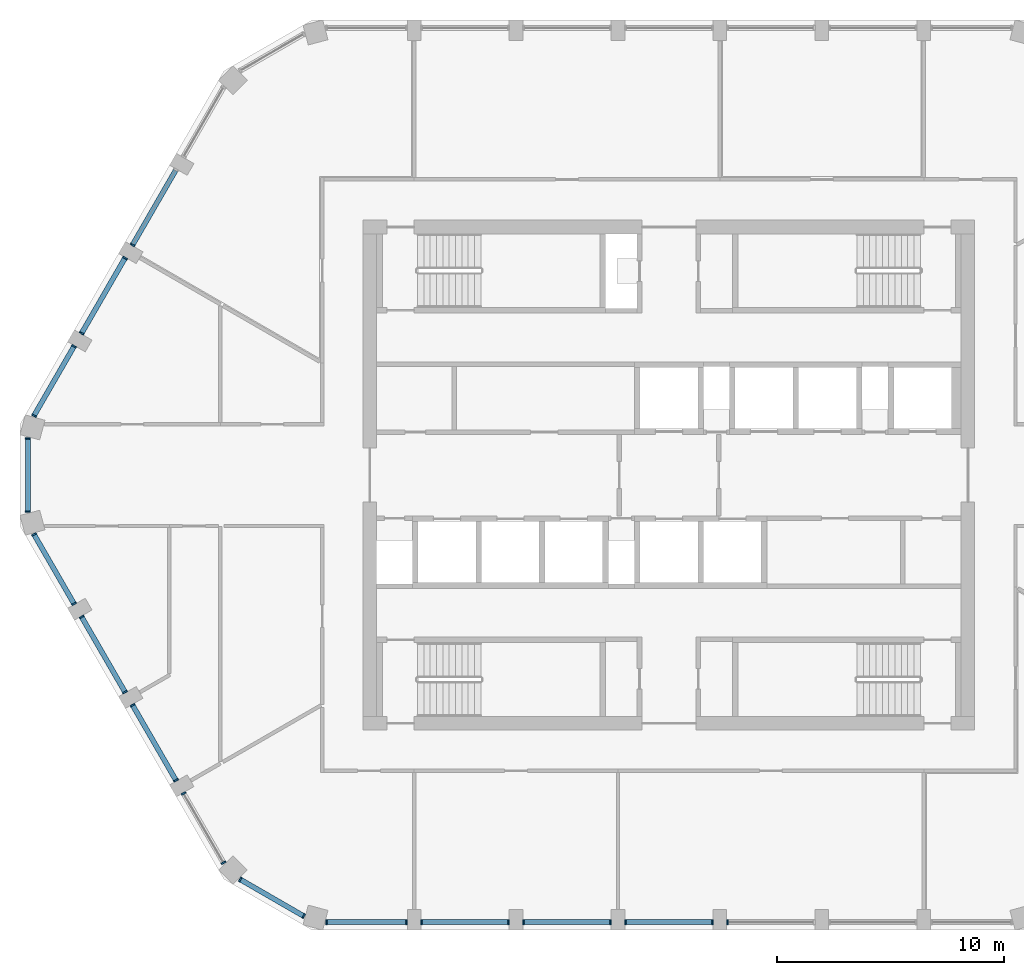
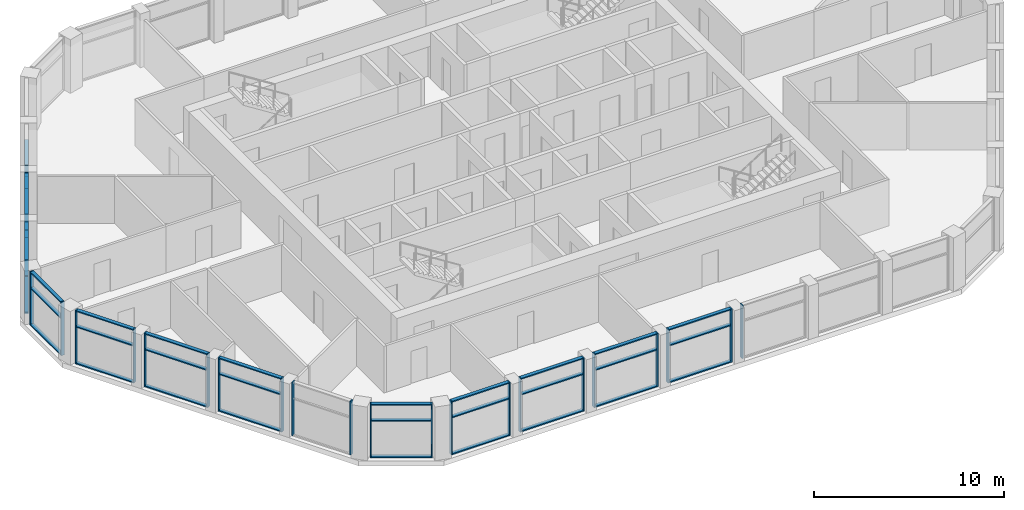
# One storey, part 2 of 15: 61 members, 14 elements without a shape of their own.
"""IFC4 building model written with IfcOpenShell, lengths in metres."""

import ifcopenshell
import ifcopenshell.guid

model = None  # the IFC model being written
_history = None  # IfcOwnerHistory: only IFC2X3 demands one
_inside = {}  # id of a spatial element -> (the spatial element, [elements in it])
_under = {}  # id of a project, library or spatial element -> (it, [spatial elements below it])
_declared = {}  # id of a project -> (the project, [libraries it declares])
_typed = {}  # id of a type object -> (the type object, [elements of that type])
_made_of = {}  # id of a material, layer set ... -> (it, [elements and type objects made of it])


def new_model(schema):
    """Start an empty IFC model of exactly this schema.

    Asked for "IFC4X3", IfcOpenShell would pick the latest addendum, in which some entities
    have other attributes; the version numbers below select the first issue.
    IFC2X3 requires an IfcOwnerHistory on every rooted entity: one is made here for all.
    """
    global model, _history
    if schema == "IFC4X3":
        model = ifcopenshell.file(schema_version=(4, 3, 0, 0))
    else:
        model = ifcopenshell.file(schema=schema)
    _inside.clear()
    _under.clear()
    _declared.clear()
    _typed.clear()
    _made_of.clear()
    _history = None
    if model.schema == "IFC2X3":
        org = make("IfcOrganization", Name="unknown")
        user = make(
            "IfcPersonAndOrganization",
            ThePerson=make("IfcPerson", FamilyName="unknown"),
            TheOrganization=org,
        )
        app = make(
            "IfcApplication",
            ApplicationDeveloper=org,
            Version="unknown",
            ApplicationFullName="unknown",
            ApplicationIdentifier="unknown",
        )
        _history = make(
            "IfcOwnerHistory",
            OwningUser=user,
            OwningApplication=app,
            ChangeAction="ADDED",
            CreationDate=0,
        )
    return model


def make(cls, **values):
    """One entity of the class cls with the attributes given. An attribute that is None is left unset."""
    return model.create_entity(
        cls, **{name: value for name, value in values.items() if value is not None}
    )


def rooted(cls, **values):
    """An entity with a GlobalId (a new one), such as an element, a storey or a relation."""
    return make(cls, GlobalId=ifcopenshell.guid.new(), OwnerHistory=_history, **values)


def si_unit(unit_type, name, prefix=None):
    """IfcSIUnit, for example si_unit("LENGTHUNIT", "METRE", prefix="MILLI")."""
    return make("IfcSIUnit", UnitType=unit_type, Prefix=prefix, Name=name)


def assignment(units):
    """IfcUnitAssignment: the units of a project."""
    return None if units is None else make("IfcUnitAssignment", Units=units)


def point(xyz):
    """IfcCartesianPoint."""
    return None if xyz is None else make("IfcCartesianPoint", Coordinates=xyz)


def direction(xyz):
    """IfcDirection."""
    return None if xyz is None else make("IfcDirection", DirectionRatios=xyz)


def frame(location, z_axis=None, x_axis=None):
    """IfcAxis2Placement3D, a coordinate frame: its origin and axes. An axis left out is left unset."""
    return make(
        "IfcAxis2Placement3D",
        Location=point(location),
        Axis=direction(z_axis),
        RefDirection=direction(x_axis),
    )


def frame_2d(location, x_axis=None):
    """IfcAxis2Placement2D, a coordinate frame in the plane: its origin and x axis."""
    return make(
        "IfcAxis2Placement2D", Location=point(location), RefDirection=direction(x_axis)
    )


def origin():
    """The frame at (0, 0, 0) with its axes left unset."""
    return frame((0.0, 0.0, 0.0))


def origin_2d():
    """The frame at (0, 0) in the plane with its x axis left unset."""
    return frame_2d((0.0, 0.0))


def place(relative_to, where):
    """IfcLocalPlacement: puts the frame where relative to a parent placement (None: the world)."""
    return make(
        "IfcLocalPlacement", PlacementRelTo=relative_to, RelativePlacement=where
    )


def context(
    kind, dimensions, precision=None, world=None, true_north=None, identifier=None
):
    """IfcGeometricRepresentationContext, for example the 3D "Model" context."""
    return make(
        "IfcGeometricRepresentationContext",
        ContextIdentifier=identifier,
        ContextType=kind,
        CoordinateSpaceDimension=dimensions,
        Precision=precision,
        WorldCoordinateSystem=world,
        TrueNorth=true_north,
    )


def subcontext(parent, identifier, kind, view, scale=None):
    """IfcGeometricRepresentationSubContext, for example "Body" below "Model"."""
    return make(
        "IfcGeometricRepresentationSubContext",
        ContextIdentifier=identifier,
        ContextType=kind,
        ParentContext=parent,
        TargetScale=scale,
        TargetView=view,
    )


def project(units=None, contexts=None):
    """IfcProject with its units and contexts."""
    return rooted(
        "IfcProject",
        Name="project",
        RepresentationContexts=contexts,
        UnitsInContext=assignment(units),
    )


def spatial(cls, under=None, at=None, **own):
    """A site, building, storey or space (cls), placed at a placement, below another one or the project."""
    s = rooted(cls, ObjectPlacement=at, **own)
    if under is not None:
        _under.setdefault(under.id(), (under, []))[1].append(s)
    return s


def profile(cls, at=None, kind="AREA", **sizes):
    """A parametric profile (cls). Its sizes go by their IFC names, for example OverallWidth=200.0."""
    return make(cls, ProfileType=kind, Position=at, **sizes)


def rectangle(**sizes):
    """IfcRectangleProfileDef."""
    return profile("IfcRectangleProfileDef", **sizes)


def extrude(swept, where, along, depth):
    """IfcExtrudedAreaSolid: the profile swept, set in the frame where, extruded along a direction by depth."""
    return make(
        "IfcExtrudedAreaSolid",
        SweptArea=swept,
        Position=where,
        ExtrudedDirection=direction(along),
        Depth=depth,
    )


def shape(context_of_items, identifier, shape_type, items):
    """IfcShapeRepresentation: the items that make up one representation, for example the "Body"."""
    return make(
        "IfcShapeRepresentation",
        ContextOfItems=context_of_items,
        RepresentationIdentifier=identifier,
        RepresentationType=shape_type,
        Items=items,
    )


def material(Name=None, Category=None):
    """IfcMaterial."""
    return make("IfcMaterial", Name=Name, Category=Category)


def layer(
    of_material, thickness, ventilated=None, Name=None, Category=None, Priority=None
):
    """IfcMaterialLayer: one layer of a wall or slab, of a material (None: an air gap)."""
    return make(
        "IfcMaterialLayer",
        Material=of_material,
        LayerThickness=thickness,
        IsVentilated=ventilated,
        Name=Name,
        Category=Category,
        Priority=Priority,
    )


def layer_set(layers, Name=None):
    """IfcMaterialLayerSet."""
    return make("IfcMaterialLayerSet", MaterialLayers=layers, LayerSetName=Name)


def material_profile(
    of_material, cross_section, Name=None, Category=None, Priority=None
):
    """IfcMaterialProfile: a cross section and its material."""
    return make(
        "IfcMaterialProfile",
        Name=Name,
        Material=of_material,
        Profile=cross_section,
        Priority=Priority,
        Category=Category,
    )


def profile_set(profiles, Name=None, composite=None):
    """IfcMaterialProfileSet."""
    return make(
        "IfcMaterialProfileSet",
        Name=Name,
        MaterialProfiles=profiles,
        CompositeProfile=composite,
    )


def made_of(thing, what):
    """Note that an element or type object is made of a material, layer set ...; save() writes the relation."""
    if what is not None:
        _made_of.setdefault(what.id(), (what, []))[1].append(thing)
    return thing


def type_object(cls, material=None, **own):
    """A type object (cls), such as IfcWallType, which elements share."""
    return made_of(rooted(cls, **own), material)


def element(
    cls,
    number,
    at=None,
    inside=None,
    cuts=None,
    type_object=None,
    material=None,
    context=None,
    identifier="Body",
    shape_type=None,
    held_by="IfcProductDefinitionShape",
    body=None,
    shapes=None,
    **own,
):
    """One element of the class cls, such as IfcWall. Its Tag is "e" and its number.

    at: its placement. inside: the storey or other place that contains it. cuts: it is an
    opening in that element (IfcRelVoidsElement). A single representation is given by context,
    identifier, shape_type and body (its items); several are given by shapes. held_by: the class
    of the entity that holds the representations. save() writes the other relations.
    """
    e = rooted(cls, Tag="e%d" % number, ObjectPlacement=at, **own)
    if body is not None:
        shapes = [shape(context, identifier, shape_type, body)]
    if shapes is not None:
        e.Representation = make(held_by, Representations=shapes)
    if inside is not None:
        _inside.setdefault(inside.id(), (inside, []))[1].append(e)
    if cuts is not None:
        rooted(
            "IfcRelVoidsElement", RelatingBuildingElement=cuts, RelatedOpeningElement=e
        )
    if type_object is not None:
        _typed.setdefault(type_object.id(), (type_object, []))[1].append(e)
    return made_of(e, material)


def aggregate(whole, parts):
    """IfcRelAggregates: a whole, such as a stair, and the parts it consists of."""
    return rooted("IfcRelAggregates", RelatingObject=whole, RelatedObjects=parts)


def save(model, path):
    """Write the relations noted so far, then the file.

    IfcRelAggregates (storeys below a building ...), IfcRelContainedInSpatialStructure (elements
    in a storey), IfcRelDefinesByType, IfcRelAssociatesMaterial and IfcRelDeclares: one each for
    every whole, place, type object, material and project.
    """
    for whole, parts in _under.values():
        aggregate(whole, parts)
    for where, things in _inside.values():
        rooted(
            "IfcRelContainedInSpatialStructure",
            RelatedElements=things,
            RelatingStructure=where,
        )
    for kind, things in _typed.values():
        rooted("IfcRelDefinesByType", RelatedObjects=things, RelatingType=kind)
    for what, things in _made_of.values():
        rooted("IfcRelAssociatesMaterial", RelatedObjects=things, RelatingMaterial=what)
    for by, libraries in _declared.values():
        rooted("IfcRelDeclares", RelatingContext=by, RelatedDefinitions=libraries)
    model.write(path)


model = new_model("IFC4")

# Units and contexts
model_context = context("Model", 3, precision=1e-05, world=origin(), true_north=direction((0.0, 1.0)))
body_context = subcontext(model_context, "Body", "Model", "MODEL_VIEW")
ifc_project = project(units=[si_unit("LENGTHUNIT", "METRE"), si_unit("AREAUNIT", "SQUARE_METRE"), si_unit("VOLUMEUNIT", "CUBIC_METRE"), si_unit("PLANEANGLEUNIT", "RADIAN"), si_unit("MASSUNIT", "GRAM", prefix="KILO")], contexts=[model_context])

# Site, building, storey
site_placement = place(None, origin())
site = spatial("IfcSite", under=ifc_project, at=site_placement, CompositionType="ELEMENT")
building_placement = place(site_placement, origin())
building = spatial("IfcBuilding", under=site, at=building_placement, Name="Dhurran Vertical Campus", CompositionType="ELEMENT")
storey_placement = place(building_placement, frame((0.0, 0.0, 306.0)))
storey = spatial("IfcBuildingStorey", under=building, at=storey_placement, Name="L76", CompositionType="ELEMENT", Elevation=306.0)

# Curtain wall, members
ifc_material_1 = material(Name="Aluminium frame with solar-control glass", Category="aluminium")
ifc_layer = layer(ifc_material_1, 0.219970703125)
ifc_layer_set = layer_set([ifc_layer], Name="Aluminium frame with solar-control glass")
curtain_wall_type = type_object("IfcCurtainWallType", Name="Student lounge glazing system", PredefinedType="NOTDEFINED", material=ifc_layer_set)
curtain_wall_1_placement = place(storey_placement, origin())
curtain_wall_1 = element("IfcCurtainWall", 1, at=curtain_wall_1_placement, inside=storey, type_object=curtain_wall_type, Name="CW5 L76.00", PredefinedType="NOTDEFINED")
ifc_material_2 = material(Name="Aluminium mullion", Category="aluminium")
ifc_material_profile_1 = material_profile(ifc_material_2, rectangle(XDim=0.219970703125, YDim=0.070068359375, at=origin_2d()), Name="Student lounge glazing system mullion")
ifc_profile_set_1 = profile_set([ifc_material_profile_1], Name="Aluminium mullion")
member_type_1 = type_object("IfcMemberType", Name="Student lounge glazing system mullion", PredefinedType="MULLION", material=ifc_profile_set_1)
member_1_placement = place(storey_placement, frame((-15.114990234375, -19.738525390625, 0.0), z_axis=(0.0, 0.0, 1.0), x_axis=(0.0, 1.0, 0.0)))
member_1 = element("IfcMember", 2, at=member_1_placement, type_object=member_type_1, Name="CW5 mullion 1", PredefinedType="MULLION", context=body_context, shape_type="SweptSolid", body=[
    extrude(rectangle(XDim=0.219970703125, YDim=0.070068359375, at=origin_2d()), origin(), (0.0, 0.0, 1.0), 3.449951171875),
])
member_2_placement = place(storey_placement, frame((-11.58544921875, -19.738525390625, 0.0), z_axis=(0.0, 0.0, 1.0), x_axis=(0.0, 1.0, 0.0)))
member_2 = element("IfcMember", 3, at=member_2_placement, type_object=member_type_1, Name="CW5 mullion 2", PredefinedType="MULLION", context=body_context, shape_type="SweptSolid", body=[
    extrude(rectangle(XDim=0.219970703125, YDim=0.070068359375, at=origin_2d()), origin(), (0.0, 0.0, 1.0), 3.449951171875),
])

curtain_wall_2_placement = place(storey_placement, origin())
curtain_wall_2 = element("IfcCurtainWall", 4, at=curtain_wall_2_placement, inside=storey, type_object=curtain_wall_type, Name="CW5 L76.01", PredefinedType="NOTDEFINED")
member_3_placement = place(storey_placement, frame((-10.91455078125, -19.738525390625, 0.0), z_axis=(0.0, 0.0, 1.0), x_axis=(0.0, 1.0, 0.0)))
member_3 = element("IfcMember", 5, at=member_3_placement, type_object=member_type_1, Name="CW5 mullion 1", PredefinedType="MULLION", context=body_context, shape_type="SweptSolid", body=[
    extrude(rectangle(XDim=0.219970703125, YDim=0.070068359375, at=origin_2d()), origin(), (0.0, 0.0, 1.0), 3.449951171875),
])
member_4_placement = place(storey_placement, frame((-7.08544921875, -19.738525390625, 0.0), z_axis=(0.0, 0.0, 1.0), x_axis=(0.0, 1.0, 0.0)))
member_4 = element("IfcMember", 6, at=member_4_placement, type_object=member_type_1, Name="CW5 mullion 2", PredefinedType="MULLION", context=body_context, shape_type="SweptSolid", body=[
    extrude(rectangle(XDim=0.219970703125, YDim=0.070068359375, at=origin_2d()), origin(), (0.0, 0.0, 1.0), 3.449951171875),
])

curtain_wall_3_placement = place(storey_placement, origin())
curtain_wall_3 = element("IfcCurtainWall", 7, at=curtain_wall_3_placement, inside=storey, type_object=curtain_wall_type, Name="CW5 L76.02", PredefinedType="NOTDEFINED")
member_5_placement = place(storey_placement, frame((-6.41455078125, -19.738525390625, 0.0), z_axis=(0.0, 0.0, 1.0), x_axis=(0.0, 1.0, 0.0)))
member_5 = element("IfcMember", 8, at=member_5_placement, type_object=member_type_1, Name="CW5 mullion 1", PredefinedType="MULLION", context=body_context, shape_type="SweptSolid", body=[
    extrude(rectangle(XDim=0.219970703125, YDim=0.070068359375, at=origin_2d()), origin(), (0.0, 0.0, 1.0), 3.449951171875),
])
member_6_placement = place(storey_placement, frame((-2.58544921875, -19.738525390625, 0.0), z_axis=(0.0, 0.0, 1.0), x_axis=(0.0, 1.0, 0.0)))
member_6 = element("IfcMember", 9, at=member_6_placement, type_object=member_type_1, Name="CW5 mullion 2", PredefinedType="MULLION", context=body_context, shape_type="SweptSolid", body=[
    extrude(rectangle(XDim=0.219970703125, YDim=0.070068359375, at=origin_2d()), origin(), (0.0, 0.0, 1.0), 3.449951171875),
])

curtain_wall_4_placement = place(storey_placement, origin())
curtain_wall_4 = element("IfcCurtainWall", 10, at=curtain_wall_4_placement, inside=storey, type_object=curtain_wall_type, Name="CW5 L76.03", PredefinedType="NOTDEFINED")
member_7_placement = place(storey_placement, frame((-1.91455078125, -19.738525390625, 0.0), z_axis=(0.0, 0.0, 1.0), x_axis=(0.0, 1.0, 0.0)))
member_7 = element("IfcMember", 11, at=member_7_placement, type_object=member_type_1, Name="CW5 mullion 1", PredefinedType="MULLION", context=body_context, shape_type="SweptSolid", body=[
    extrude(rectangle(XDim=0.219970703125, YDim=0.070068359375, at=origin_2d()), origin(), (0.0, 0.0, 1.0), 3.449951171875),
])
member_8_placement = place(storey_placement, frame((1.91455078125, -19.738525390625, 0.0), z_axis=(0.0, 0.0, 1.0), x_axis=(0.0, 1.0, 0.0)))
member_8 = element("IfcMember", 12, at=member_8_placement, type_object=member_type_1, Name="CW5 mullion 2", PredefinedType="MULLION", context=body_context, shape_type="SweptSolid", body=[
    extrude(rectangle(XDim=0.219970703125, YDim=0.070068359375, at=origin_2d()), origin(), (0.0, 0.0, 1.0), 3.449951171875),
])

# Curtain wall, member
curtain_wall_5_placement = place(storey_placement, origin())
curtain_wall_5 = element("IfcCurtainWall", 13, at=curtain_wall_5_placement, inside=storey, type_object=curtain_wall_type, Name="CW5 L76.04", PredefinedType="NOTDEFINED")
member_9_placement = place(storey_placement, frame((2.58544921875, -19.738525390625, 0.0), z_axis=(0.0, 0.0, 1.0), x_axis=(0.0, 1.0, 0.0)))
member_9 = element("IfcMember", 14, at=member_9_placement, type_object=member_type_1, Name="CW5 mullion 1", PredefinedType="MULLION", context=body_context, shape_type="SweptSolid", body=[
    extrude(rectangle(XDim=0.219970703125, YDim=0.070068359375, at=origin_2d()), origin(), (0.0, 0.0, 1.0), 3.449951171875),
])
aggregate(curtain_wall_5, [member_9])

curtain_wall_6_placement = place(storey_placement, origin())
curtain_wall_6 = element("IfcCurtainWall", 15, at=curtain_wall_6_placement, inside=storey, type_object=curtain_wall_type, Name="CW5 L76.27", PredefinedType="NOTDEFINED")
member_10_placement = place(storey_placement, frame((-23.67626953125, 10.159912109375, 0.0), z_axis=(0.0, 0.0, 1.0), x_axis=(0.866023284668, -0.5000036704, 0.0)))
member_10 = element("IfcMember", 16, at=member_10_placement, type_object=member_type_1, Name="CW5 mullion 2", PredefinedType="MULLION", context=body_context, shape_type="SweptSolid", body=[
    extrude(rectangle(XDim=0.219970703125, YDim=0.070068359375, at=origin_2d()), origin(), (0.0, 0.0, 1.0), 3.449951171875),
])

# Curtain wall, members
curtain_wall_7_placement = place(storey_placement, origin())
curtain_wall_7 = element("IfcCurtainWall", 17, at=curtain_wall_7_placement, inside=storey, type_object=curtain_wall_type, Name="CW5 L76.28", PredefinedType="NOTDEFINED")
member_11_placement = place(storey_placement, frame((-24.01171875, 9.57861328125, 0.0), z_axis=(0.0, 0.0, 1.0), x_axis=(0.866023284668, -0.5000036704, 0.0)))
member_11 = element("IfcMember", 18, at=member_11_placement, type_object=member_type_1, Name="CW5 mullion 1", PredefinedType="MULLION", context=body_context, shape_type="SweptSolid", body=[
    extrude(rectangle(XDim=0.219970703125, YDim=0.070068359375, at=origin_2d()), origin(), (0.0, 0.0, 1.0), 3.449951171875),
])
member_12_placement = place(storey_placement, frame((-25.92626953125, 6.2626953125, 0.0), z_axis=(0.0, 0.0, 1.0), x_axis=(0.866023284668, -0.5000036704, 0.0)))
member_12 = element("IfcMember", 19, at=member_12_placement, type_object=member_type_1, Name="CW5 mullion 2", PredefinedType="MULLION", context=body_context, shape_type="SweptSolid", body=[
    extrude(rectangle(XDim=0.219970703125, YDim=0.070068359375, at=origin_2d()), origin(), (0.0, 0.0, 1.0), 3.449951171875),
])

curtain_wall_8_placement = place(storey_placement, origin())
curtain_wall_8 = element("IfcCurtainWall", 20, at=curtain_wall_8_placement, inside=storey, type_object=curtain_wall_type, Name="CW5 L76.29", PredefinedType="NOTDEFINED")
member_13_placement = place(storey_placement, frame((-26.26171875, 5.681640625, 0.0), z_axis=(0.0, 0.0, 1.0), x_axis=(0.86602735976, -0.499996612136, 0.0)))
member_13 = element("IfcMember", 21, at=member_13_placement, type_object=member_type_1, Name="CW5 mullion 1", PredefinedType="MULLION", context=body_context, shape_type="SweptSolid", body=[
    extrude(rectangle(XDim=0.219970703125, YDim=0.070068359375, at=origin_2d()), origin(), (0.0, 0.0, 1.0), 3.449951171875),
])
member_14_placement = place(storey_placement, frame((-28.026611328125, 2.625, 0.0), z_axis=(0.0, 0.0, 1.0), x_axis=(0.86602735976, -0.499996612136, 0.0)))
member_14 = element("IfcMember", 22, at=member_14_placement, type_object=member_type_1, Name="CW5 mullion 2", PredefinedType="MULLION", context=body_context, shape_type="SweptSolid", body=[
    extrude(rectangle(XDim=0.219970703125, YDim=0.070068359375, at=origin_2d()), origin(), (0.0, 0.0, 1.0), 3.449951171875),
])

curtain_wall_9_placement = place(storey_placement, origin())
curtain_wall_9 = element("IfcCurtainWall", 23, at=curtain_wall_9_placement, inside=storey, type_object=curtain_wall_type, Name="CW5 L76.30", PredefinedType="NOTDEFINED")
member_15_placement = place(storey_placement, frame((-28.297119140625, 1.614990234375, 0.0), z_axis=(0.0, 0.0, 1.0), x_axis=(1.0, 0.0, 0.0)))
member_15 = element("IfcMember", 24, at=member_15_placement, type_object=member_type_1, Name="CW5 mullion 1", PredefinedType="MULLION", context=body_context, shape_type="SweptSolid", body=[
    extrude(rectangle(XDim=0.219970703125, YDim=0.070068359375, at=origin_2d()), origin(), (0.0, 0.0, 1.0), 3.449951171875),
])
member_16_placement = place(storey_placement, frame((-28.297119140625, -1.614990234375, 0.0), z_axis=(0.0, 0.0, 1.0), x_axis=(1.0, 0.0, 0.0)))
member_16 = element("IfcMember", 25, at=member_16_placement, type_object=member_type_1, Name="CW5 mullion 2", PredefinedType="MULLION", context=body_context, shape_type="SweptSolid", body=[
    extrude(rectangle(XDim=0.219970703125, YDim=0.070068359375, at=origin_2d()), origin(), (0.0, 0.0, 1.0), 3.449951171875),
])

curtain_wall_10_placement = place(storey_placement, origin())
curtain_wall_10 = element("IfcCurtainWall", 26, at=curtain_wall_10_placement, inside=storey, type_object=curtain_wall_type, Name="CW5 L76.31", PredefinedType="NOTDEFINED")
member_17_placement = place(storey_placement, frame((-28.026611328125, -2.625, 0.0), z_axis=(0.0, 0.0, 1.0), x_axis=(0.86602735976, 0.499996612136, 0.0)))
member_17 = element("IfcMember", 27, at=member_17_placement, type_object=member_type_1, Name="CW5 mullion 1", PredefinedType="MULLION", context=body_context, shape_type="SweptSolid", body=[
    extrude(rectangle(XDim=0.219970703125, YDim=0.070068359375, at=origin_2d()), origin(), (0.0, 0.0, 1.0), 3.449951171875),
])
member_18_placement = place(storey_placement, frame((-26.26171875, -5.681640625, 0.0), z_axis=(0.0, 0.0, 1.0), x_axis=(0.86602735976, 0.499996612136, 0.0)))
member_18 = element("IfcMember", 28, at=member_18_placement, type_object=member_type_1, Name="CW5 mullion 2", PredefinedType="MULLION", context=body_context, shape_type="SweptSolid", body=[
    extrude(rectangle(XDim=0.219970703125, YDim=0.070068359375, at=origin_2d()), origin(), (0.0, 0.0, 1.0), 3.449951171875),
])

curtain_wall_11_placement = place(storey_placement, origin())
curtain_wall_11 = element("IfcCurtainWall", 29, at=curtain_wall_11_placement, inside=storey, type_object=curtain_wall_type, Name="CW5 L76.32", PredefinedType="NOTDEFINED")
member_19_placement = place(storey_placement, frame((-25.92626953125, -6.2626953125, 0.0), z_axis=(0.0, 0.0, 1.0), x_axis=(0.866023284668, 0.5000036704, 0.0)))
member_19 = element("IfcMember", 30, at=member_19_placement, type_object=member_type_1, Name="CW5 mullion 1", PredefinedType="MULLION", context=body_context, shape_type="SweptSolid", body=[
    extrude(rectangle(XDim=0.219970703125, YDim=0.070068359375, at=origin_2d()), origin(), (0.0, 0.0, 1.0), 3.449951171875),
])
member_20_placement = place(storey_placement, frame((-24.01171875, -9.57861328125, 0.0), z_axis=(0.0, 0.0, 1.0), x_axis=(0.866023284668, 0.5000036704, 0.0)))
member_20 = element("IfcMember", 31, at=member_20_placement, type_object=member_type_1, Name="CW5 mullion 2", PredefinedType="MULLION", context=body_context, shape_type="SweptSolid", body=[
    extrude(rectangle(XDim=0.219970703125, YDim=0.070068359375, at=origin_2d()), origin(), (0.0, 0.0, 1.0), 3.449951171875),
])

curtain_wall_12_placement = place(storey_placement, origin())
curtain_wall_12 = element("IfcCurtainWall", 32, at=curtain_wall_12_placement, inside=storey, type_object=curtain_wall_type, Name="CW5 L76.33", PredefinedType="NOTDEFINED")
member_21_placement = place(storey_placement, frame((-23.67626953125, -10.159912109375, 0.0), z_axis=(0.0, 0.0, 1.0), x_axis=(0.866023284668, 0.5000036704, 0.0)))
member_21 = element("IfcMember", 33, at=member_21_placement, type_object=member_type_1, Name="CW5 mullion 1", PredefinedType="MULLION", context=body_context, shape_type="SweptSolid", body=[
    extrude(rectangle(XDim=0.219970703125, YDim=0.070068359375, at=origin_2d()), origin(), (0.0, 0.0, 1.0), 3.449951171875),
])
member_22_placement = place(storey_placement, frame((-21.76171875, -13.475830078125, 0.0), z_axis=(0.0, 0.0, 1.0), x_axis=(0.866023284668, 0.5000036704, 0.0)))
member_22 = element("IfcMember", 34, at=member_22_placement, type_object=member_type_1, Name="CW5 mullion 2", PredefinedType="MULLION", context=body_context, shape_type="SweptSolid", body=[
    extrude(rectangle(XDim=0.219970703125, YDim=0.070068359375, at=origin_2d()), origin(), (0.0, 0.0, 1.0), 3.449951171875),
])

curtain_wall_13_placement = place(storey_placement, origin())
curtain_wall_13 = element("IfcCurtainWall", 35, at=curtain_wall_13_placement, inside=storey, type_object=curtain_wall_type, Name="CW5 L76.34", PredefinedType="NOTDEFINED")
member_23_placement = place(storey_placement, frame((-21.42626953125, -14.056884765625, 0.0), z_axis=(0.0, 0.0, 1.0), x_axis=(0.86602735976, 0.499996612136, 0.0)))
member_23 = element("IfcMember", 36, at=member_23_placement, type_object=member_type_1, Name="CW5 mullion 1", PredefinedType="MULLION", context=body_context, shape_type="SweptSolid", body=[
    extrude(rectangle(XDim=0.219970703125, YDim=0.070068359375, at=origin_2d()), origin(), (0.0, 0.0, 1.0), 3.449951171875),
])
member_24_placement = place(storey_placement, frame((-19.66162109375, -17.113525390625, 0.0), z_axis=(0.0, 0.0, 1.0), x_axis=(0.86602735976, 0.499996612136, 0.0)))
member_24 = element("IfcMember", 37, at=member_24_placement, type_object=member_type_1, Name="CW5 mullion 2", PredefinedType="MULLION", context=body_context, shape_type="SweptSolid", body=[
    extrude(rectangle(XDim=0.219970703125, YDim=0.070068359375, at=origin_2d()), origin(), (0.0, 0.0, 1.0), 3.449951171875),
])
aggregate(curtain_wall_13, [member_23, member_24])

curtain_wall_14_placement = place(storey_placement, origin())
curtain_wall_14 = element("IfcCurtainWall", 38, at=curtain_wall_14_placement, inside=storey, type_object=curtain_wall_type, Name="CW5 L76.35", PredefinedType="NOTDEFINED")
member_25_placement = place(storey_placement, frame((-18.922119140625, -17.852783203125, 0.0), z_axis=(0.0, 0.0, 1.0), x_axis=(0.500001394569, 0.866024598628, 0.0)))
member_25 = element("IfcMember", 39, at=member_25_placement, type_object=member_type_1, Name="CW5 mullion 1", PredefinedType="MULLION", context=body_context, shape_type="SweptSolid", body=[
    extrude(rectangle(XDim=0.219970703125, YDim=0.070068359375, at=origin_2d()), origin(), (0.0, 0.0, 1.0), 3.449951171875),
])
member_26_placement = place(storey_placement, frame((-16.125, -19.4677734375, 0.0), z_axis=(0.0, 0.0, 1.0), x_axis=(0.500001394569, 0.866024598628, 0.0)))
member_26 = element("IfcMember", 40, at=member_26_placement, type_object=member_type_1, Name="CW5 mullion 2", PredefinedType="MULLION", context=body_context, shape_type="SweptSolid", body=[
    extrude(rectangle(XDim=0.219970703125, YDim=0.070068359375, at=origin_2d()), origin(), (0.0, 0.0, 1.0), 3.449951171875),
])

# Member
ifc_material_3 = material(Name="Aluminium transom", Category="aluminium")
ifc_material_profile_2 = material_profile(ifc_material_3, rectangle(XDim=0.219970703125, YDim=0.070068359375, at=origin_2d()), Name="Student lounge glazing system transom")
ifc_profile_set_2 = profile_set([ifc_material_profile_2], Name="Aluminium transom")
member_type_2 = type_object("IfcMemberType", Name="Student lounge glazing system transom", PredefinedType="USERDEFINED", material=ifc_profile_set_2)
member_27_placement = place(storey_placement, frame((-15.079833984375, -19.738525390625, 0.034912109375), z_axis=(1.0, 0.0, 0.0), x_axis=(0.0, 1.0, 0.0)))
member_27 = element("IfcMember", 41, at=member_27_placement, type_object=member_type_2, Name="CW5 transom 1.1", ObjectType="TRANSOM", PredefinedType="USERDEFINED", context=body_context, shape_type="SweptSolid", body=[
    extrude(rectangle(XDim=0.219970703125, YDim=0.070068359375, at=origin_2d()), origin(), (0.0, 0.0, 1.0), 3.459228515625),
])

member_28_placement = place(storey_placement, frame((-15.079833984375, -19.738525390625, 2.39990234375), z_axis=(1.0, 0.0, 0.0), x_axis=(0.0, 1.0, 0.0)))
member_28 = element("IfcMember", 42, at=member_28_placement, type_object=member_type_2, Name="CW5 transom 1.2", ObjectType="TRANSOM", PredefinedType="USERDEFINED", context=body_context, shape_type="SweptSolid", body=[
    extrude(rectangle(XDim=0.219970703125, YDim=0.070068359375, at=origin_2d()), origin(), (0.0, 0.0, 1.0), 3.459228515625),
])

member_29_placement = place(storey_placement, frame((-15.079833984375, -19.738525390625, 3.4150390625), z_axis=(1.0, 0.0, 0.0), x_axis=(0.0, 1.0, 0.0)))
member_29 = element("IfcMember", 43, at=member_29_placement, type_object=member_type_2, Name="CW5 transom 1.3", ObjectType="TRANSOM", PredefinedType="USERDEFINED", context=body_context, shape_type="SweptSolid", body=[
    extrude(rectangle(XDim=0.219970703125, YDim=0.070068359375, at=origin_2d()), origin(), (0.0, 0.0, 1.0), 3.459228515625),
])

aggregate(curtain_wall_1, [member_1, member_2, member_27, member_28, member_29])

member_30_placement = place(storey_placement, frame((-10.87939453125, -19.738525390625, 0.034912109375), z_axis=(1.0, 0.0, 0.0), x_axis=(0.0, 1.0, 0.0)))
member_30 = element("IfcMember", 44, at=member_30_placement, type_object=member_type_2, Name="CW5 transom 1.1", ObjectType="TRANSOM", PredefinedType="USERDEFINED", context=body_context, shape_type="SweptSolid", body=[
    extrude(rectangle(XDim=0.219970703125, YDim=0.070068359375, at=origin_2d()), origin(), (0.0, 0.0, 1.0), 3.7587890625),
])

member_31_placement = place(storey_placement, frame((-10.87939453125, -19.738525390625, 2.39990234375), z_axis=(1.0, 0.0, 0.0), x_axis=(0.0, 1.0, 0.0)))
member_31 = element("IfcMember", 45, at=member_31_placement, type_object=member_type_2, Name="CW5 transom 1.2", ObjectType="TRANSOM", PredefinedType="USERDEFINED", context=body_context, shape_type="SweptSolid", body=[
    extrude(rectangle(XDim=0.219970703125, YDim=0.070068359375, at=origin_2d()), origin(), (0.0, 0.0, 1.0), 3.7587890625),
])

member_32_placement = place(storey_placement, frame((-10.87939453125, -19.738525390625, 3.4150390625), z_axis=(1.0, 0.0, 0.0), x_axis=(0.0, 1.0, 0.0)))
member_32 = element("IfcMember", 46, at=member_32_placement, type_object=member_type_2, Name="CW5 transom 1.3", ObjectType="TRANSOM", PredefinedType="USERDEFINED", context=body_context, shape_type="SweptSolid", body=[
    extrude(rectangle(XDim=0.219970703125, YDim=0.070068359375, at=origin_2d()), origin(), (0.0, 0.0, 1.0), 3.7587890625),
])

aggregate(curtain_wall_2, [member_3, member_4, member_30, member_31, member_32])

member_33_placement = place(storey_placement, frame((-6.37939453125, -19.738525390625, 0.034912109375), z_axis=(1.0, 0.0, 0.0), x_axis=(0.0, 1.0, 0.0)))
member_33 = element("IfcMember", 47, at=member_33_placement, type_object=member_type_2, Name="CW5 transom 1.1", ObjectType="TRANSOM", PredefinedType="USERDEFINED", context=body_context, shape_type="SweptSolid", body=[
    extrude(rectangle(XDim=0.219970703125, YDim=0.070068359375, at=origin_2d()), origin(), (0.0, 0.0, 1.0), 3.7587890625),
])

member_34_placement = place(storey_placement, frame((-6.37939453125, -19.738525390625, 2.39990234375), z_axis=(1.0, 0.0, 0.0), x_axis=(0.0, 1.0, 0.0)))
member_34 = element("IfcMember", 48, at=member_34_placement, type_object=member_type_2, Name="CW5 transom 1.2", ObjectType="TRANSOM", PredefinedType="USERDEFINED", context=body_context, shape_type="SweptSolid", body=[
    extrude(rectangle(XDim=0.219970703125, YDim=0.070068359375, at=origin_2d()), origin(), (0.0, 0.0, 1.0), 3.7587890625),
])

member_35_placement = place(storey_placement, frame((-6.37939453125, -19.738525390625, 3.4150390625), z_axis=(1.0, 0.0, 0.0), x_axis=(0.0, 1.0, 0.0)))
member_35 = element("IfcMember", 49, at=member_35_placement, type_object=member_type_2, Name="CW5 transom 1.3", ObjectType="TRANSOM", PredefinedType="USERDEFINED", context=body_context, shape_type="SweptSolid", body=[
    extrude(rectangle(XDim=0.219970703125, YDim=0.070068359375, at=origin_2d()), origin(), (0.0, 0.0, 1.0), 3.7587890625),
])

aggregate(curtain_wall_3, [member_5, member_6, member_33, member_34, member_35])

member_36_placement = place(storey_placement, frame((-1.87939453125, -19.738525390625, 0.034912109375), z_axis=(1.0, 0.0, 0.0), x_axis=(0.0, 1.0, 0.0)))
member_36 = element("IfcMember", 50, at=member_36_placement, type_object=member_type_2, Name="CW5 transom 1.1", ObjectType="TRANSOM", PredefinedType="USERDEFINED", context=body_context, shape_type="SweptSolid", body=[
    extrude(rectangle(XDim=0.219970703125, YDim=0.070068359375, at=origin_2d()), origin(), (0.0, 0.0, 1.0), 3.7587890625),
])

member_37_placement = place(storey_placement, frame((-1.87939453125, -19.738525390625, 2.39990234375), z_axis=(1.0, 0.0, 0.0), x_axis=(0.0, 1.0, 0.0)))
member_37 = element("IfcMember", 51, at=member_37_placement, type_object=member_type_2, Name="CW5 transom 1.2", ObjectType="TRANSOM", PredefinedType="USERDEFINED", context=body_context, shape_type="SweptSolid", body=[
    extrude(rectangle(XDim=0.219970703125, YDim=0.070068359375, at=origin_2d()), origin(), (0.0, 0.0, 1.0), 3.7587890625),
])

member_38_placement = place(storey_placement, frame((-1.87939453125, -19.738525390625, 3.4150390625), z_axis=(1.0, 0.0, 0.0), x_axis=(0.0, 1.0, 0.0)))
member_38 = element("IfcMember", 52, at=member_38_placement, type_object=member_type_2, Name="CW5 transom 1.3", ObjectType="TRANSOM", PredefinedType="USERDEFINED", context=body_context, shape_type="SweptSolid", body=[
    extrude(rectangle(XDim=0.219970703125, YDim=0.070068359375, at=origin_2d()), origin(), (0.0, 0.0, 1.0), 3.7587890625),
])

aggregate(curtain_wall_4, [member_7, member_8, member_36, member_37, member_38])

member_39_placement = place(storey_placement, frame((-21.779296875, 13.445556640625, 0.034912109375), z_axis=(-0.499981075744, -0.866036329433, 0.0), x_axis=(0.866036329433, -0.499981075744, 0.0)))
member_39 = element("IfcMember", 53, at=member_39_placement, type_object=member_type_2, Name="CW5 transom 1.1", ObjectType="TRANSOM", PredefinedType="USERDEFINED", context=body_context, shape_type="SweptSolid", body=[
    extrude(rectangle(XDim=0.219970703125, YDim=0.070068359375, at=origin_2d()), origin(), (0.0, 0.0, 1.0), 3.759033203125),
])

member_40_placement = place(storey_placement, frame((-21.779296875, 13.445556640625, 2.39990234375), z_axis=(-0.499981075744, -0.866036329433, 0.0), x_axis=(0.866036329433, -0.499981075744, 0.0)))
member_40 = element("IfcMember", 54, at=member_40_placement, type_object=member_type_2, Name="CW5 transom 1.2", ObjectType="TRANSOM", PredefinedType="USERDEFINED", context=body_context, shape_type="SweptSolid", body=[
    extrude(rectangle(XDim=0.219970703125, YDim=0.070068359375, at=origin_2d()), origin(), (0.0, 0.0, 1.0), 3.759033203125),
])

aggregate(curtain_wall_6, [member_10, member_39, member_40])

member_41_placement = place(storey_placement, frame((-24.029296875, 9.54833984375, 0.034912109375), z_axis=(-0.499981075744, -0.866036329433, 0.0), x_axis=(0.866036329433, -0.499981075744, 0.0)))
member_41 = element("IfcMember", 55, at=member_41_placement, type_object=member_type_2, Name="CW5 transom 1.1", ObjectType="TRANSOM", PredefinedType="USERDEFINED", context=body_context, shape_type="SweptSolid", body=[
    extrude(rectangle(XDim=0.219970703125, YDim=0.070068359375, at=origin_2d()), origin(), (0.0, 0.0, 1.0), 3.759033203125),
])

member_42_placement = place(storey_placement, frame((-24.029296875, 9.54833984375, 2.39990234375), z_axis=(-0.499981075744, -0.866036329433, 0.0), x_axis=(0.866036329433, -0.499981075744, 0.0)))
member_42 = element("IfcMember", 56, at=member_42_placement, type_object=member_type_2, Name="CW5 transom 1.2", ObjectType="TRANSOM", PredefinedType="USERDEFINED", context=body_context, shape_type="SweptSolid", body=[
    extrude(rectangle(XDim=0.219970703125, YDim=0.070068359375, at=origin_2d()), origin(), (0.0, 0.0, 1.0), 3.759033203125),
])

member_43_placement = place(storey_placement, frame((-24.029296875, 9.54833984375, 3.4150390625), z_axis=(-0.499981075744, -0.866036329433, 0.0), x_axis=(0.866036329433, -0.499981075744, 0.0)))
member_43 = element("IfcMember", 57, at=member_43_placement, type_object=member_type_2, Name="CW5 transom 1.3", ObjectType="TRANSOM", PredefinedType="USERDEFINED", context=body_context, shape_type="SweptSolid", body=[
    extrude(rectangle(XDim=0.219970703125, YDim=0.070068359375, at=origin_2d()), origin(), (0.0, 0.0, 1.0), 3.759033203125),
])

aggregate(curtain_wall_7, [member_11, member_12, member_41, member_42, member_43])

member_44_placement = place(storey_placement, frame((-26.279296875, 5.6513671875, 0.034912109375), z_axis=(-0.499987164874, -0.866032814021, 0.0), x_axis=(0.866032814021, -0.499987164874, 0.0)))
member_44 = element("IfcMember", 58, at=member_44_placement, type_object=member_type_2, Name="CW5 transom 1.1", ObjectType="TRANSOM", PredefinedType="USERDEFINED", context=body_context, shape_type="SweptSolid", body=[
    extrude(rectangle(XDim=0.219970703125, YDim=0.070068359375, at=origin_2d()), origin(), (0.0, 0.0, 1.0), 3.45947265625),
])

member_45_placement = place(storey_placement, frame((-26.279296875, 5.6513671875, 2.39990234375), z_axis=(-0.499987164874, -0.866032814021, 0.0), x_axis=(0.866032814021, -0.499987164874, 0.0)))
member_45 = element("IfcMember", 59, at=member_45_placement, type_object=member_type_2, Name="CW5 transom 1.2", ObjectType="TRANSOM", PredefinedType="USERDEFINED", context=body_context, shape_type="SweptSolid", body=[
    extrude(rectangle(XDim=0.219970703125, YDim=0.070068359375, at=origin_2d()), origin(), (0.0, 0.0, 1.0), 3.45947265625),
])

member_46_placement = place(storey_placement, frame((-26.279296875, 5.6513671875, 3.4150390625), z_axis=(-0.499987164874, -0.866032814021, 0.0), x_axis=(0.866032814021, -0.499987164874, 0.0)))
member_46 = element("IfcMember", 60, at=member_46_placement, type_object=member_type_2, Name="CW5 transom 1.3", ObjectType="TRANSOM", PredefinedType="USERDEFINED", context=body_context, shape_type="SweptSolid", body=[
    extrude(rectangle(XDim=0.219970703125, YDim=0.070068359375, at=origin_2d()), origin(), (0.0, 0.0, 1.0), 3.45947265625),
])

aggregate(curtain_wall_8, [member_13, member_14, member_44, member_45, member_46])

member_47_placement = place(storey_placement, frame((-28.297119140625, 1.579833984375, 0.034912109375), z_axis=(0.0, -1.0, 0.0), x_axis=(1.0, 0.0, 0.0)))
member_47 = element("IfcMember", 61, at=member_47_placement, type_object=member_type_2, Name="CW5 transom 1.1", ObjectType="TRANSOM", PredefinedType="USERDEFINED", context=body_context, shape_type="SweptSolid", body=[
    extrude(rectangle(XDim=0.219970703125, YDim=0.070068359375, at=origin_2d()), origin(), (0.0, 0.0, 1.0), 3.15966796875),
])

member_48_placement = place(storey_placement, frame((-28.297119140625, 1.579833984375, 2.39990234375), z_axis=(0.0, -1.0, 0.0), x_axis=(1.0, 0.0, 0.0)))
member_48 = element("IfcMember", 62, at=member_48_placement, type_object=member_type_2, Name="CW5 transom 1.2", ObjectType="TRANSOM", PredefinedType="USERDEFINED", context=body_context, shape_type="SweptSolid", body=[
    extrude(rectangle(XDim=0.219970703125, YDim=0.070068359375, at=origin_2d()), origin(), (0.0, 0.0, 1.0), 3.15966796875),
])

member_49_placement = place(storey_placement, frame((-28.297119140625, 1.579833984375, 3.4150390625), z_axis=(0.0, -1.0, 0.0), x_axis=(1.0, 0.0, 0.0)))
member_49 = element("IfcMember", 63, at=member_49_placement, type_object=member_type_2, Name="CW5 transom 1.3", ObjectType="TRANSOM", PredefinedType="USERDEFINED", context=body_context, shape_type="SweptSolid", body=[
    extrude(rectangle(XDim=0.219970703125, YDim=0.070068359375, at=origin_2d()), origin(), (0.0, 0.0, 1.0), 3.15966796875),
])

aggregate(curtain_wall_9, [member_15, member_16, member_47, member_48, member_49])

member_50_placement = place(storey_placement, frame((-28.009033203125, -2.6552734375, 0.034912109375), z_axis=(0.499987164874, -0.866032814021, 0.0), x_axis=(0.866032814021, 0.499987164874, 0.0)))
member_50 = element("IfcMember", 64, at=member_50_placement, type_object=member_type_2, Name="CW5 transom 1.1", ObjectType="TRANSOM", PredefinedType="USERDEFINED", context=body_context, shape_type="SweptSolid", body=[
    extrude(rectangle(XDim=0.219970703125, YDim=0.070068359375, at=origin_2d()), origin(), (0.0, 0.0, 1.0), 3.45947265625),
])

member_51_placement = place(storey_placement, frame((-28.009033203125, -2.6552734375, 2.39990234375), z_axis=(0.499987164874, -0.866032814021, 0.0), x_axis=(0.866032814021, 0.499987164874, 0.0)))
member_51 = element("IfcMember", 65, at=member_51_placement, type_object=member_type_2, Name="CW5 transom 1.2", ObjectType="TRANSOM", PredefinedType="USERDEFINED", context=body_context, shape_type="SweptSolid", body=[
    extrude(rectangle(XDim=0.219970703125, YDim=0.070068359375, at=origin_2d()), origin(), (0.0, 0.0, 1.0), 3.45947265625),
])

member_52_placement = place(storey_placement, frame((-28.009033203125, -2.6552734375, 3.4150390625), z_axis=(0.499987164874, -0.866032814021, 0.0), x_axis=(0.866032814021, 0.499987164874, 0.0)))
member_52 = element("IfcMember", 66, at=member_52_placement, type_object=member_type_2, Name="CW5 transom 1.3", ObjectType="TRANSOM", PredefinedType="USERDEFINED", context=body_context, shape_type="SweptSolid", body=[
    extrude(rectangle(XDim=0.219970703125, YDim=0.070068359375, at=origin_2d()), origin(), (0.0, 0.0, 1.0), 3.45947265625),
])

aggregate(curtain_wall_10, [member_17, member_18, member_50, member_51, member_52])

member_53_placement = place(storey_placement, frame((-25.90869140625, -6.29296875, 0.034912109375), z_axis=(0.499981075744, -0.866036329433, 0.0), x_axis=(0.866036329433, 0.499981075744, 0.0)))
member_53 = element("IfcMember", 67, at=member_53_placement, type_object=member_type_2, Name="CW5 transom 1.1", ObjectType="TRANSOM", PredefinedType="USERDEFINED", context=body_context, shape_type="SweptSolid", body=[
    extrude(rectangle(XDim=0.219970703125, YDim=0.070068359375, at=origin_2d()), origin(), (0.0, 0.0, 1.0), 3.759033203125),
])

member_54_placement = place(storey_placement, frame((-25.90869140625, -6.29296875, 2.39990234375), z_axis=(0.499981075744, -0.866036329433, 0.0), x_axis=(0.866036329433, 0.499981075744, 0.0)))
member_54 = element("IfcMember", 68, at=member_54_placement, type_object=member_type_2, Name="CW5 transom 1.2", ObjectType="TRANSOM", PredefinedType="USERDEFINED", context=body_context, shape_type="SweptSolid", body=[
    extrude(rectangle(XDim=0.219970703125, YDim=0.070068359375, at=origin_2d()), origin(), (0.0, 0.0, 1.0), 3.759033203125),
])

member_55_placement = place(storey_placement, frame((-25.90869140625, -6.29296875, 3.4150390625), z_axis=(0.499981075744, -0.866036329433, 0.0), x_axis=(0.866036329433, 0.499981075744, 0.0)))
member_55 = element("IfcMember", 69, at=member_55_placement, type_object=member_type_2, Name="CW5 transom 1.3", ObjectType="TRANSOM", PredefinedType="USERDEFINED", context=body_context, shape_type="SweptSolid", body=[
    extrude(rectangle(XDim=0.219970703125, YDim=0.070068359375, at=origin_2d()), origin(), (0.0, 0.0, 1.0), 3.759033203125),
])

aggregate(curtain_wall_11, [member_19, member_20, member_53, member_54, member_55])

member_56_placement = place(storey_placement, frame((-23.65869140625, -10.190185546875, 0.034912109375), z_axis=(0.499981075744, -0.866036329433, 0.0), x_axis=(0.866036329433, 0.499981075744, 0.0)))
member_56 = element("IfcMember", 70, at=member_56_placement, type_object=member_type_2, Name="CW5 transom 1.1", ObjectType="TRANSOM", PredefinedType="USERDEFINED", context=body_context, shape_type="SweptSolid", body=[
    extrude(rectangle(XDim=0.219970703125, YDim=0.070068359375, at=origin_2d()), origin(), (0.0, 0.0, 1.0), 3.759033203125),
])

member_57_placement = place(storey_placement, frame((-23.65869140625, -10.190185546875, 2.39990234375), z_axis=(0.499981075744, -0.866036329433, 0.0), x_axis=(0.866036329433, 0.499981075744, 0.0)))
member_57 = element("IfcMember", 71, at=member_57_placement, type_object=member_type_2, Name="CW5 transom 1.2", ObjectType="TRANSOM", PredefinedType="USERDEFINED", context=body_context, shape_type="SweptSolid", body=[
    extrude(rectangle(XDim=0.219970703125, YDim=0.070068359375, at=origin_2d()), origin(), (0.0, 0.0, 1.0), 3.759033203125),
])

member_58_placement = place(storey_placement, frame((-23.65869140625, -10.190185546875, 3.4150390625), z_axis=(0.499981075744, -0.866036329433, 0.0), x_axis=(0.866036329433, 0.499981075744, 0.0)))
member_58 = element("IfcMember", 72, at=member_58_placement, type_object=member_type_2, Name="CW5 transom 1.3", ObjectType="TRANSOM", PredefinedType="USERDEFINED", context=body_context, shape_type="SweptSolid", body=[
    extrude(rectangle(XDim=0.219970703125, YDim=0.070068359375, at=origin_2d()), origin(), (0.0, 0.0, 1.0), 3.759033203125),
])

aggregate(curtain_wall_12, [member_21, member_22, member_56, member_57, member_58])

member_59_placement = place(storey_placement, frame((-18.891845703125, -17.870361328125, 0.034912109375), z_axis=(0.866042772488, -0.499969915316, 0.0), x_axis=(0.499969915316, 0.866042772488, 0.0)))
member_59 = element("IfcMember", 73, at=member_59_placement, type_object=member_type_2, Name="CW5 transom 1.1", ObjectType="TRANSOM", PredefinedType="USERDEFINED", context=body_context, shape_type="SweptSolid", body=[
    extrude(rectangle(XDim=0.219970703125, YDim=0.070068359375, at=origin_2d()), origin(), (0.0, 0.0, 1.0), 3.159912109375),
])

member_60_placement = place(storey_placement, frame((-18.891845703125, -17.870361328125, 2.39990234375), z_axis=(0.866042772488, -0.499969915316, 0.0), x_axis=(0.499969915316, 0.866042772488, 0.0)))
member_60 = element("IfcMember", 74, at=member_60_placement, type_object=member_type_2, Name="CW5 transom 1.2", ObjectType="TRANSOM", PredefinedType="USERDEFINED", context=body_context, shape_type="SweptSolid", body=[
    extrude(rectangle(XDim=0.219970703125, YDim=0.070068359375, at=origin_2d()), origin(), (0.0, 0.0, 1.0), 3.159912109375),
])

member_61_placement = place(storey_placement, frame((-18.891845703125, -17.870361328125, 3.4150390625), z_axis=(0.866042772488, -0.499969915316, 0.0), x_axis=(0.499969915316, 0.866042772488, 0.0)))
member_61 = element("IfcMember", 75, at=member_61_placement, type_object=member_type_2, Name="CW5 transom 1.3", ObjectType="TRANSOM", PredefinedType="USERDEFINED", context=body_context, shape_type="SweptSolid", body=[
    extrude(rectangle(XDim=0.219970703125, YDim=0.070068359375, at=origin_2d()), origin(), (0.0, 0.0, 1.0), 3.159912109375),
])

aggregate(curtain_wall_14, [member_25, member_26, member_59, member_60, member_61])

save(model, "model.ifc")
